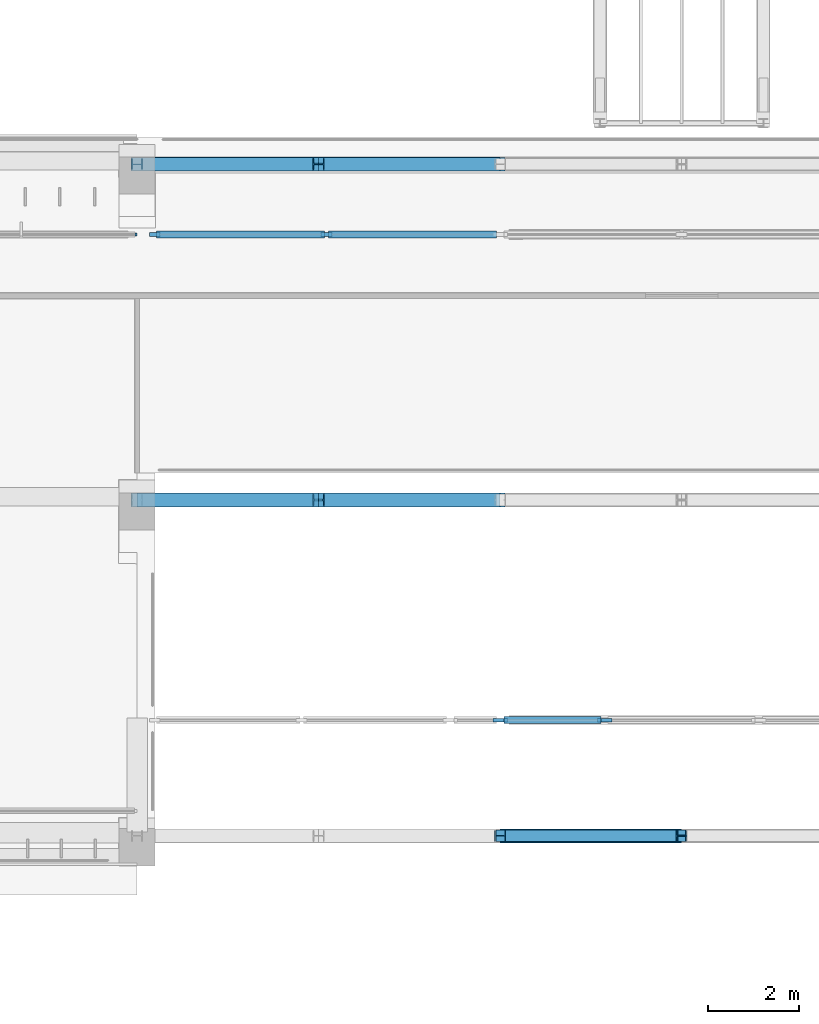
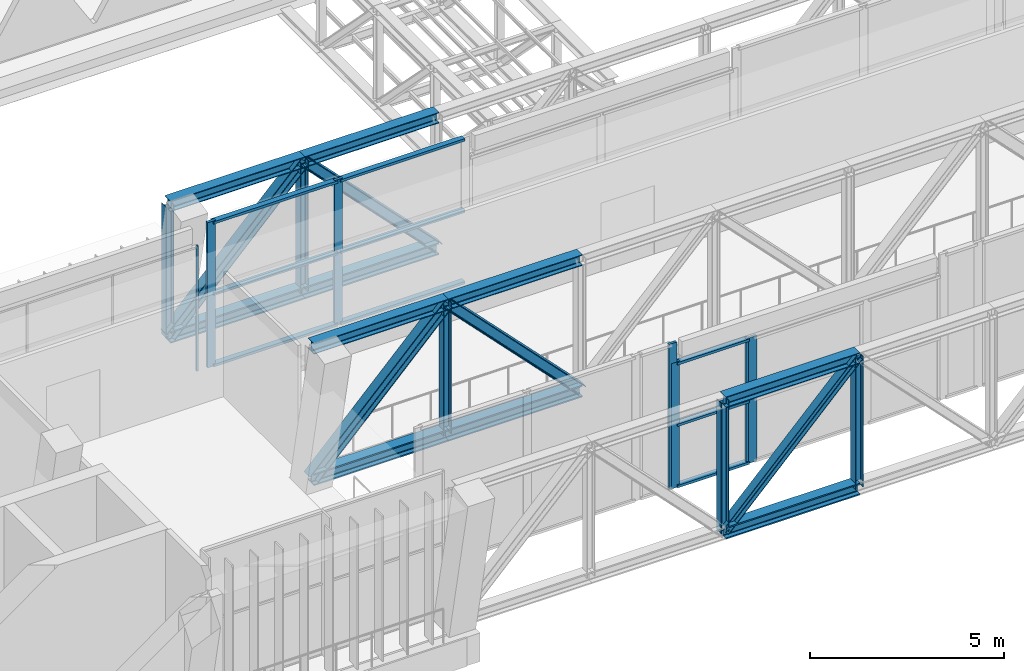
# One storey, part 36 of 141: 36 members, 5 elements without a shape of their own.
"""IFC4 building model written with IfcOpenShell, lengths in metres."""

from ifc_helpers import new_model, si_unit, direction, frame, origin, origin_2d, place, context, subcontext, project, spatial, rectangle, i_section, extrude, material, material_profile, profile_set, type_object, element, aggregate, save


model = new_model("IFC4")

# Units and contexts
model_context = context("Model", 3, precision=1e-05, world=origin(), true_north=direction((0.0, 1.0)))
body_context = subcontext(model_context, "Body", "Model", "MODEL_VIEW")
ifc_project = project(units=[si_unit("LENGTHUNIT", "METRE"), si_unit("AREAUNIT", "SQUARE_METRE"), si_unit("VOLUMEUNIT", "CUBIC_METRE"), si_unit("PLANEANGLEUNIT", "RADIAN"), si_unit("MASSUNIT", "GRAM", prefix="KILO")], contexts=[model_context])

# Site, building, storey
site_placement = place(None, origin())
site = spatial("IfcSite", under=ifc_project, at=site_placement, CompositionType="ELEMENT")
building_placement = place(site_placement, origin())
building = spatial("IfcBuilding", under=site, at=building_placement, Name="Lantern Court Media Centre", CompositionType="ELEMENT")
storey_placement = place(building_placement, frame((0.0, 0.0, 9.60009765625)))
storey = spatial("IfcBuildingStorey", under=building, at=storey_placement, Name="L02", CompositionType="ELEMENT", Elevation=9.60009765625)

# Curtain wall, member
ifc_material_1 = material(Name="Curtain wall bay 2400")
curtain_wall_type_1 = type_object("IfcCurtainWallType", Name="Curtain wall bay 2400", PredefinedType="NOTDEFINED", material=ifc_material_1)
curtain_wall_1_placement = place(storey_placement, origin())
curtain_wall_1 = element("IfcCurtainWall", 1, at=curtain_wall_1_placement, inside=storey, type_object=curtain_wall_type_1, Name="Curtain wall S inner L02", PredefinedType="NOTDEFINED")
ifc_material_2 = material(Name="Anodised aluminium", Category="aluminium")
ifc_material_profile_1 = material_profile(ifc_material_2, rectangle(XDim=0.06005859375, YDim=0.050048828125, at=origin_2d()), Name="AL 50x60")
ifc_profile_set_1 = profile_set([ifc_material_profile_1], Name="Anodised aluminium")
member_type_1 = type_object("IfcMemberType", Name="Curtain wall mullion 50x60", PredefinedType="MULLION", material=ifc_profile_set_1)
member_1_placement = place(storey_placement, frame((39.97509765625, 59.85009765625, 0.0), z_axis=(0.0, 0.0, 1.0), x_axis=(0.0, 1.0, 0.0)))
member_1 = element("IfcMember", 2, at=member_1_placement, type_object=member_type_1, Name="CW2 mullion 7", PredefinedType="MULLION", context=body_context, shape_type="SweptSolid", body=[
    extrude(rectangle(XDim=0.06005859375, YDim=0.050048828125, at=origin_2d()), origin(), (0.0, 0.0, 1.0), 3.949951171875),
])
aggregate(curtain_wall_1, [member_1])

ifc_material_3 = material(Name="Curtain wall bay 4000")
curtain_wall_type_2 = type_object("IfcCurtainWallType", Name="Curtain wall bay 4000", PredefinedType="NOTDEFINED", material=ifc_material_3)
curtain_wall_2_placement = place(storey_placement, origin())
curtain_wall_2 = element("IfcCurtainWall", 3, at=curtain_wall_2_placement, inside=storey, type_object=curtain_wall_type_2, Name="Curtain wall S outer L02", PredefinedType="NOTDEFINED")
ifc_material_profile_2 = material_profile(ifc_material_2, rectangle(XDim=0.080078125, YDim=0.239990234375, at=origin_2d()), Name="AL 80x240")
ifc_profile_set_2 = profile_set([ifc_material_profile_2], Name="Anodised aluminium")
member_type_2 = type_object("IfcMemberType", Name="Curtain wall mullion 80x240", PredefinedType="MULLION", material=ifc_profile_set_2)
member_2_placement = place(storey_placement, frame((47.9599609375, 49.14990234375, 0.0), z_axis=(0.0, 0.0, 1.0), x_axis=(0.0, 1.0, 0.0)))
member_2 = element("IfcMember", 4, at=member_2_placement, type_object=member_type_2, Name="CW3 mullion 2", PredefinedType="MULLION", context=body_context, shape_type="SweptSolid", body=[
    extrude(rectangle(XDim=0.080078125, YDim=0.239990234375, at=origin_2d()), origin(), (0.0, 0.0, 1.0), 4.579833984375),
])
aggregate(curtain_wall_2, [member_2])

# Curtain wall, members
curtain_wall_3_placement = place(storey_placement, origin())
curtain_wall_3 = element("IfcCurtainWall", 5, at=curtain_wall_3_placement, inside=storey, type_object=curtain_wall_type_2, Name="Curtain wall S outer L02", PredefinedType="NOTDEFINED")
member_3_placement = place(storey_placement, frame((48.0400390625, 49.14990234375, 0.0), z_axis=(0.0, 0.0, 1.0), x_axis=(0.0, 1.0, 0.0)))
member_3 = element("IfcMember", 6, at=member_3_placement, type_object=member_type_2, Name="CW3 mullion 1", PredefinedType="MULLION", context=body_context, shape_type="SweptSolid", body=[
    extrude(rectangle(XDim=0.080078125, YDim=0.239990234375, at=origin_2d()), origin(), (0.0, 0.0, 1.0), 3.949951171875),
])
member_4_placement = place(storey_placement, frame((50.260009765625, 49.14990234375, 0.0), z_axis=(0.0, 0.0, 1.0), x_axis=(0.0, 1.0, 0.0)))
member_4 = element("IfcMember", 7, at=member_4_placement, type_object=member_type_2, Name="CW3 mullion 2", PredefinedType="MULLION", context=body_context, shape_type="SweptSolid", body=[
    extrude(rectangle(XDim=0.080078125, YDim=0.239990234375, at=origin_2d()), origin(), (0.0, 0.0, 1.0), 3.949951171875),
])

# Curtain wall, member
curtain_wall_4_placement = place(storey_placement, origin())
curtain_wall_4 = element("IfcCurtainWall", 8, at=curtain_wall_4_placement, inside=storey, type_object=curtain_wall_type_2, Name="Curtain wall S outer L02", PredefinedType="NOTDEFINED")
member_5_placement = place(storey_placement, frame((50.340087890625, 49.14990234375, 0.0), z_axis=(0.0, 0.0, 1.0), x_axis=(0.0, 1.0, 0.0)))
member_5 = element("IfcMember", 9, at=member_5_placement, type_object=member_type_2, Name="CW3 mullion 1", PredefinedType="MULLION", context=body_context, shape_type="SweptSolid", body=[
    extrude(rectangle(XDim=0.080078125, YDim=0.239990234375, at=origin_2d()), origin(), (0.0, 0.0, 1.0), 3.949951171875),
])
aggregate(curtain_wall_4, [member_5])

# Curtain wall, members
curtain_wall_5_placement = place(storey_placement, origin())
curtain_wall_5 = element("IfcCurtainWall", 10, at=curtain_wall_5_placement, inside=storey, type_object=curtain_wall_type_2, Name="Curtain wall S inner L02", PredefinedType="NOTDEFINED")
member_6_placement = place(storey_placement, frame((40.389892578125, 59.85009765625, 0.0), z_axis=(0.0, 0.0, 1.0), x_axis=(0.0, 1.0, 0.0)))
member_6 = element("IfcMember", 11, at=member_6_placement, type_object=member_type_2, Name="CW3 mullion 1", PredefinedType="MULLION", context=body_context, shape_type="SweptSolid", body=[
    extrude(rectangle(XDim=0.080078125, YDim=0.239990234375, at=origin_2d()), origin(), (0.0, 0.0, 1.0), 4.579833984375),
])
member_7_placement = place(storey_placement, frame((44.175048828125, 59.85009765625, 0.0), z_axis=(0.0, 0.0, 1.0), x_axis=(0.0, 1.0, 0.0)))
member_7 = element("IfcMember", 12, at=member_7_placement, type_object=member_type_2, Name="CW3 mullion 2", PredefinedType="MULLION", context=body_context, shape_type="SweptSolid", body=[
    extrude(rectangle(XDim=0.080078125, YDim=0.239990234375, at=origin_2d()), origin(), (0.0, 0.0, 1.0), 4.579833984375),
])

# Member
ifc_material_profile_3 = material_profile(ifc_material_2, rectangle(XDim=0.159912109375, YDim=0.080078125, at=origin_2d()), Name="AL 80x160")
ifc_profile_set_3 = profile_set([ifc_material_profile_3], Name="Anodised aluminium")
member_type_3 = type_object("IfcMemberType", Name="Curtain wall transom 160x80", PredefinedType="USERDEFINED", material=ifc_profile_set_3)
member_8_placement = place(storey_placement, frame((48.080078125, 49.14990234375, 0.039794921875), z_axis=(1.0, 0.0, 0.0), x_axis=(0.0, 1.0, 0.0)))
member_8 = element("IfcMember", 13, at=member_8_placement, type_object=member_type_3, Name="CW3 transom 1.1", ObjectType="TRANSOM", PredefinedType="USERDEFINED", context=body_context, shape_type="SweptSolid", body=[
    extrude(rectangle(XDim=0.159912109375, YDim=0.080078125, at=origin_2d()), origin(), (0.0, 0.0, 1.0), 2.139892578125),
])

member_9_placement = place(storey_placement, frame((48.080078125, 49.14990234375, 1.974853515625), z_axis=(1.0, 0.0, 0.0), x_axis=(0.0, 1.0, 0.0)))
member_9 = element("IfcMember", 14, at=member_9_placement, type_object=member_type_3, Name="CW3 transom 1.2", ObjectType="TRANSOM", PredefinedType="USERDEFINED", context=body_context, shape_type="SweptSolid", body=[
    extrude(rectangle(XDim=0.159912109375, YDim=0.080078125, at=origin_2d()), origin(), (0.0, 0.0, 1.0), 2.139892578125),
])

member_10_placement = place(storey_placement, frame((48.080078125, 49.14990234375, 3.909912109375), z_axis=(1.0, 0.0, 0.0), x_axis=(0.0, 1.0, 0.0)))
member_10 = element("IfcMember", 15, at=member_10_placement, type_object=member_type_3, Name="CW3 transom 1.3", ObjectType="TRANSOM", PredefinedType="USERDEFINED", context=body_context, shape_type="SweptSolid", body=[
    extrude(rectangle(XDim=0.159912109375, YDim=0.080078125, at=origin_2d()), origin(), (0.0, 0.0, 1.0), 2.139892578125),
])

aggregate(curtain_wall_3, [member_3, member_4, member_8, member_9, member_10])

member_11_placement = place(storey_placement, frame((40.429931640625, 59.85009765625, 0.039794921875), z_axis=(1.0, 0.0, 0.0), x_axis=(0.0, 1.0, 0.0)))
member_11 = element("IfcMember", 16, at=member_11_placement, type_object=member_type_3, Name="CW3 transom 1.1", ObjectType="TRANSOM", PredefinedType="USERDEFINED", context=body_context, shape_type="SweptSolid", body=[
    extrude(rectangle(XDim=0.159912109375, YDim=0.080078125, at=origin_2d()), origin(), (0.0, 0.0, 1.0), 3.705078125),
])

member_12_placement = place(storey_placement, frame((40.429931640625, 59.85009765625, 2.289794921875), z_axis=(1.0, 0.0, 0.0), x_axis=(0.0, 1.0, 0.0)))
member_12 = element("IfcMember", 17, at=member_12_placement, type_object=member_type_3, Name="CW3 transom 1.2", ObjectType="TRANSOM", PredefinedType="USERDEFINED", context=body_context, shape_type="SweptSolid", body=[
    extrude(rectangle(XDim=0.159912109375, YDim=0.080078125, at=origin_2d()), origin(), (0.0, 0.0, 1.0), 3.705078125),
])

member_13_placement = place(storey_placement, frame((40.429931640625, 59.85009765625, 4.539794921875), z_axis=(1.0, 0.0, 0.0), x_axis=(0.0, 1.0, 0.0)))
member_13 = element("IfcMember", 18, at=member_13_placement, type_object=member_type_3, Name="CW3 transom 1.3", ObjectType="TRANSOM", PredefinedType="USERDEFINED", context=body_context, shape_type="SweptSolid", body=[
    extrude(rectangle(XDim=0.159912109375, YDim=0.080078125, at=origin_2d()), origin(), (0.0, 0.0, 1.0), 3.705078125),
])

member_14_placement = place(storey_placement, frame((44.215087890625, 59.85009765625, 0.039794921875), z_axis=(1.0, 0.0, 0.0), x_axis=(0.0, 1.0, 0.0)))
member_14 = element("IfcMember", 19, at=member_14_placement, type_object=member_type_3, Name="CW3 transom 2.1", ObjectType="TRANSOM", PredefinedType="USERDEFINED", context=body_context, shape_type="SweptSolid", body=[
    extrude(rectangle(XDim=0.159912109375, YDim=0.080078125, at=origin_2d()), origin(), (0.0, 0.0, 1.0), 3.704833984375),
])

member_15_placement = place(storey_placement, frame((44.215087890625, 59.85009765625, 2.289794921875), z_axis=(1.0, 0.0, 0.0), x_axis=(0.0, 1.0, 0.0)))
member_15 = element("IfcMember", 20, at=member_15_placement, type_object=member_type_3, Name="CW3 transom 2.2", ObjectType="TRANSOM", PredefinedType="USERDEFINED", context=body_context, shape_type="SweptSolid", body=[
    extrude(rectangle(XDim=0.159912109375, YDim=0.080078125, at=origin_2d()), origin(), (0.0, 0.0, 1.0), 3.704833984375),
])

member_16_placement = place(storey_placement, frame((44.215087890625, 59.85009765625, 4.539794921875), z_axis=(1.0, 0.0, 0.0), x_axis=(0.0, 1.0, 0.0)))
member_16 = element("IfcMember", 21, at=member_16_placement, type_object=member_type_3, Name="CW3 transom 2.3", ObjectType="TRANSOM", PredefinedType="USERDEFINED", context=body_context, shape_type="SweptSolid", body=[
    extrude(rectangle(XDim=0.159912109375, YDim=0.080078125, at=origin_2d()), origin(), (0.0, 0.0, 1.0), 3.704833984375),
])

aggregate(curtain_wall_5, [member_6, member_7, member_11, member_12, member_13, member_14, member_15, member_16])

# Members
ifc_material_4 = material(Name="Steel S355J2 (EN 10025-2)", Category="steel")
ifc_material_profile_4 = material_profile(ifc_material_4, i_section(OverallWidth=0.30908203125, OverallDepth=0.376953125, WebThickness=0.02099609375, FlangeThickness=0.0400390625, FilletRadius=0.027099609375, at=origin_2d()), Name="HEM 340")
ifc_profile_set_4 = profile_set([ifc_material_profile_4], Name="Steel S355J2 (EN 10025-2)")
member_type_4 = type_object("IfcMemberType", Name="Entrance transfer truss chord HEM 340", PredefinedType="CHORD", material=ifc_profile_set_4)
for number, where, z_axis, x_axis, name in (
    (22, (48.0, 46.60009765625, 0.1884765625), (1.0, 0.0, 0.0), (0.0, 1.0, 0.0), "Transfer truss 1 bottom chord 3"),
    (23, (40.0, 54.0, 0.1884765625), (1.0, 0.0, 0.0), (0.0, 1.0, 0.0), "Transfer truss 2 bottom chord 1"),
    (24, (44.0, 54.0, 0.1884765625), (1.0, 0.0, 0.0), (0.0, 1.0, 0.0), "Transfer truss 2 bottom chord 2"),
    (25, (40.0, 61.39990234375, 0.1884765625), (1.0, 0.0, 0.0), (0.0, 1.0, 0.0), "Transfer truss 3 bottom chord 1"),
    (26, (44.0, 61.39990234375, 0.1884765625), (1.0, 0.0, 0.0), (0.0, 1.0, 0.0), "Transfer truss 3 bottom chord 2"),
):
    element("IfcMember", number, at=place(storey_placement, frame(where, z_axis=z_axis, x_axis=x_axis)), inside=storey, type_object=member_type_4, Name=name, PredefinedType="CHORD", context=body_context, shape_type="SweptSolid", body=[
        extrude(i_section(OverallWidth=0.30908203125, OverallDepth=0.376953125, WebThickness=0.02099609375, FlangeThickness=0.0400390625, FilletRadius=0.027099609375, at=origin_2d()), origin(), (0.0, 0.0, 1.0), 4.0),
    ])
ifc_material_profile_5 = material_profile(ifc_material_4, i_section(OverallWidth=0.260009765625, OverallDepth=0.260009765625, WebThickness=0.010009765625, FlangeThickness=0.017578125, FilletRadius=0.02392578125, at=origin_2d()), Name="HEB 260")
ifc_profile_set_5 = profile_set([ifc_material_profile_5], Name="Steel S355J2 (EN 10025-2)")
member_type_5 = type_object("IfcMemberType", Name="Entrance transfer truss diagonal HEB 260", PredefinedType="BRACE", material=ifc_profile_set_5)
member_17_placement = place(storey_placement, frame((48.0, 46.60009765625, 0.1884765625), z_axis=(0.696315735079, 0.0, 0.717735603883), x_axis=(0.0, 1.0, 0.0)))
element("IfcMember", 27, at=member_17_placement, inside=storey, type_object=member_type_5, Name="Transfer truss 1 diagonal 3", PredefinedType="BRACE", context=body_context, shape_type="SweptSolid", body=[
    extrude(i_section(OverallWidth=0.260009765625, OverallDepth=0.260009765625, WebThickness=0.010009765625, FlangeThickness=0.017578125, FilletRadius=0.02392578125, at=origin_2d()), origin(), (0.0, 0.0, 1.0), 5.74462890625),
])
ifc_material_profile_6 = material_profile(ifc_material_4, i_section(OverallWidth=0.300048828125, OverallDepth=0.300048828125, WebThickness=0.010986328125, FlangeThickness=0.01904296875, FilletRadius=0.027099609375, at=origin_2d()), Name="HEB 300")
ifc_profile_set_6 = profile_set([ifc_material_profile_6], Name="Steel S355J2 (EN 10025-2)")
member_type_6 = type_object("IfcMemberType", Name="Entrance transfer truss diagonal HEB 300", PredefinedType="BRACE", material=ifc_profile_set_6)
for number, where, z_axis, x_axis, name in (
    (28, (44.0, 54.0, 4.3115234375), (0.696315735079, 0.0, -0.717735603883), (0.0, 1.0, 0.0), "Transfer truss 2 diagonal 2"),
    (29, (44.0, 61.39990234375, 4.3115234375), (0.696315735079, 0.0, -0.717735603883), (0.0, 1.0, 0.0), "Transfer truss 3 diagonal 2"),
):
    element("IfcMember", number, at=place(storey_placement, frame(where, z_axis=z_axis, x_axis=x_axis)), inside=storey, type_object=member_type_6, Name=name, PredefinedType="BRACE", context=body_context, shape_type="SweptSolid", body=[
        extrude(i_section(OverallWidth=0.300048828125, OverallDepth=0.300048828125, WebThickness=0.010986328125, FlangeThickness=0.01904296875, FilletRadius=0.027099609375, at=origin_2d()), origin(), (0.0, 0.0, 1.0), 5.74462890625),
    ])
ifc_material_profile_7 = material_profile(ifc_material_4, i_section(OverallWidth=0.300048828125, OverallDepth=0.360107421875, WebThickness=0.012451171875, FlangeThickness=0.0224609375, FilletRadius=0.027099609375, at=origin_2d()), Name="HEB 360")
ifc_profile_set_7 = profile_set([ifc_material_profile_7], Name="Steel S355J2 (EN 10025-2)")
member_type_7 = type_object("IfcMemberType", Name="Entrance transfer truss diagonal HEB 360", PredefinedType="BRACE", material=ifc_profile_set_7)
for number, where, z_axis, x_axis, name in (
    (30, (40.0, 54.0, 0.1884765625), (0.696315735079, 0.0, 0.717735603883), (0.0, 1.0, 0.0), "Transfer truss 2 diagonal 1"),
    (31, (40.0, 61.39990234375, 0.1884765625), (0.696315735079, 0.0, 0.717735603883), (0.0, 1.0, 0.0), "Transfer truss 3 diagonal 1"),
):
    element("IfcMember", number, at=place(storey_placement, frame(where, z_axis=z_axis, x_axis=x_axis)), inside=storey, type_object=member_type_7, Name=name, PredefinedType="BRACE", context=body_context, shape_type="SweptSolid", body=[
        extrude(i_section(OverallWidth=0.300048828125, OverallDepth=0.360107421875, WebThickness=0.012451171875, FlangeThickness=0.0224609375, FilletRadius=0.027099609375, at=origin_2d()), origin(), (0.0, 0.0, 1.0), 5.74462890625),
    ])
ifc_material_profile_8 = material_profile(ifc_material_4, i_section(OverallWidth=0.300048828125, OverallDepth=0.340087890625, WebThickness=0.011962890625, FlangeThickness=0.021484375, FilletRadius=0.027099609375, at=origin_2d()), Name="HEB 340")
ifc_profile_set_8 = profile_set([ifc_material_profile_8], Name="Steel S355J2 (EN 10025-2)")
member_type_8 = type_object("IfcMemberType", Name="Entrance transfer truss top chord HEB 340", PredefinedType="CHORD", material=ifc_profile_set_8)
for number, where, z_axis, x_axis, name in (
    (32, (48.0, 46.60009765625, 4.3115234375), (1.0, 0.0, 0.0), (0.0, 1.0, 0.0), "Transfer truss 1 top chord 3"),
    (33, (40.0, 54.0, 4.3115234375), (1.0, 0.0, 0.0), (0.0, 1.0, 0.0), "Transfer truss 2 top chord 1"),
    (34, (44.0, 54.0, 4.3115234375), (1.0, 0.0, 0.0), (0.0, 1.0, 0.0), "Transfer truss 2 top chord 2"),
    (35, (40.0, 61.39990234375, 4.3115234375), (1.0, 0.0, 0.0), (0.0, 1.0, 0.0), "Transfer truss 3 top chord 1"),
    (36, (44.0, 61.39990234375, 4.3115234375), (1.0, 0.0, 0.0), (0.0, 1.0, 0.0), "Transfer truss 3 top chord 2"),
):
    element("IfcMember", number, at=place(storey_placement, frame(where, z_axis=z_axis, x_axis=x_axis)), inside=storey, type_object=member_type_8, Name=name, PredefinedType="CHORD", context=body_context, shape_type="SweptSolid", body=[
        extrude(i_section(OverallWidth=0.300048828125, OverallDepth=0.340087890625, WebThickness=0.011962890625, FlangeThickness=0.021484375, FilletRadius=0.027099609375, at=origin_2d()), origin(), (0.0, 0.0, 1.0), 4.0),
    ])
ifc_material_profile_9 = material_profile(ifc_material_4, i_section(OverallWidth=0.239990234375, OverallDepth=0.239990234375, WebThickness=0.010009765625, FlangeThickness=0.01708984375, FilletRadius=0.02099609375, at=origin_2d()), Name="HEB 240")
ifc_profile_set_9 = profile_set([ifc_material_profile_9], Name="Steel S355J2 (EN 10025-2)")
member_type_9 = type_object("IfcMemberType", Name="Entrance transfer truss vertical HEB 240", PredefinedType="POST", material=ifc_profile_set_9)
for number, where, z_axis, x_axis, name in (
    (37, (48.0, 46.60009765625, 0.1884765625), (0.0, 0.0, 1.0), (0.0, 1.0, 0.0), "Transfer truss 1 vertical 3"),
    (38, (52.0, 46.60009765625, 0.1884765625), (0.0, 0.0, 1.0), (0.0, 1.0, 0.0), "Transfer truss 1 vertical 4"),
    (39, (44.0, 54.0, 0.1884765625), (0.0, 0.0, 1.0), (0.0, 1.0, 0.0), "Transfer truss 2 vertical 2"),
    (40, (40.0, 61.39990234375, 0.1884765625), (0.0, 0.0, 1.0), (0.0, 1.0, 0.0), "Transfer truss 3 vertical 1"),
    (41, (44.0, 61.39990234375, 0.1884765625), (0.0, 0.0, 1.0), (0.0, 1.0, 0.0), "Transfer truss 3 vertical 2"),
):
    element("IfcMember", number, at=place(storey_placement, frame(where, z_axis=z_axis, x_axis=x_axis)), inside=storey, type_object=member_type_9, Name=name, PredefinedType="POST", context=body_context, shape_type="SweptSolid", body=[
        extrude(i_section(OverallWidth=0.239990234375, OverallDepth=0.239990234375, WebThickness=0.010009765625, FlangeThickness=0.01708984375, FilletRadius=0.02099609375, at=origin_2d()), origin(), (0.0, 0.0, 1.0), 4.123046875),
    ])

save(model, "model.ifc")
